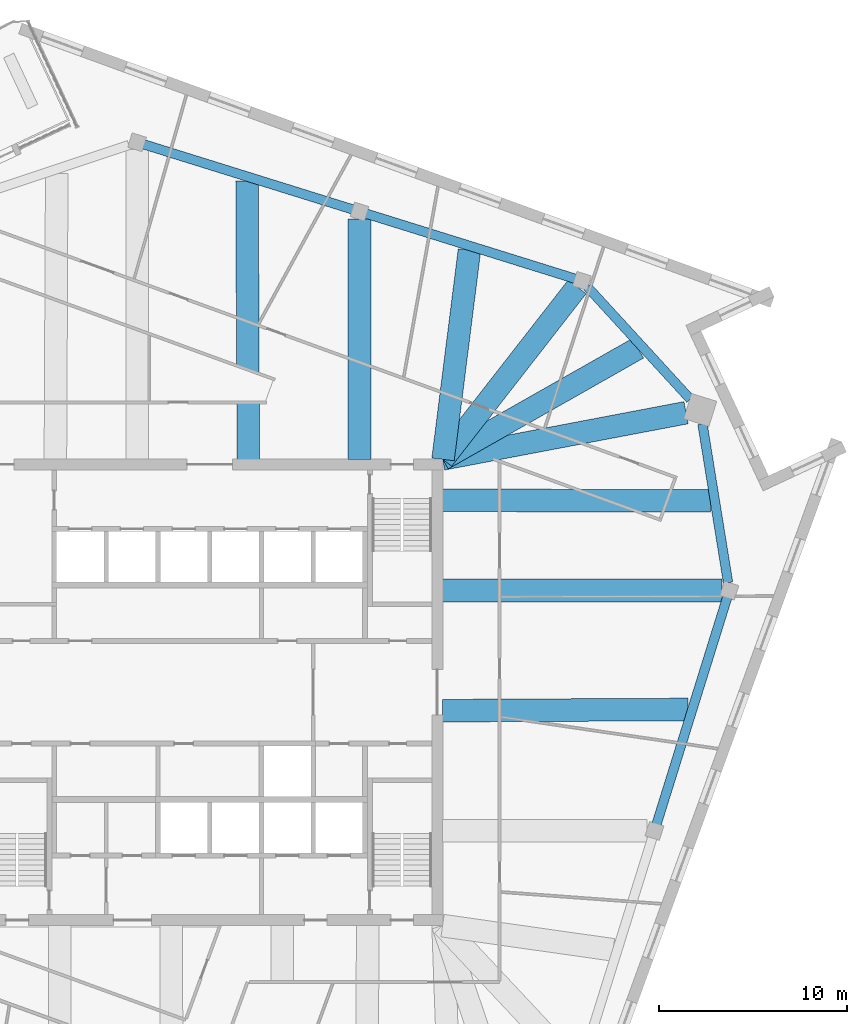
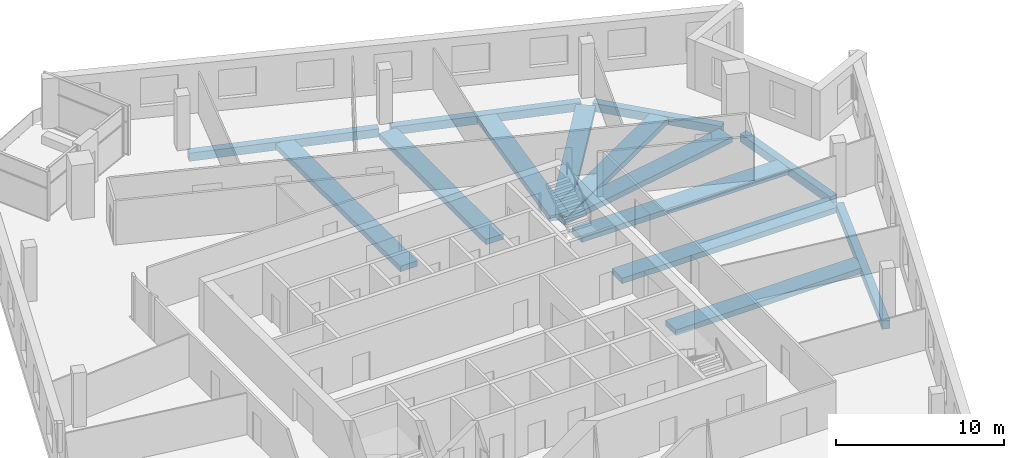
# One storey, part 3 of 13: 14 beams.
"""IFC4 building model written with IfcOpenShell, lengths in metres."""

from ifc_helpers import new_model, si_unit, direction, frame, origin, origin_2d, place, context, subcontext, project, spatial, rectangle, extrude, material, material_profile, profile_set, type_object, element, save


model = new_model("IFC4")

# Units and contexts
model_context = context("Model", 3, precision=1e-05, world=origin(), true_north=direction((0.0, 1.0)))
body_context = subcontext(model_context, "Body", "Model", "MODEL_VIEW")
ifc_project = project(units=[si_unit("LENGTHUNIT", "METRE"), si_unit("AREAUNIT", "SQUARE_METRE"), si_unit("VOLUMEUNIT", "CUBIC_METRE"), si_unit("PLANEANGLEUNIT", "RADIAN"), si_unit("MASSUNIT", "GRAM", prefix="KILO")], contexts=[model_context])

# Site, building, storey
site_placement = place(None, origin())
site = spatial("IfcSite", under=ifc_project, at=site_placement, CompositionType="ELEMENT")
building_placement = place(site_placement, origin())
building = spatial("IfcBuilding", under=site, at=building_placement, Name="Dilmun Exchange Tower", CompositionType="ELEMENT")
storey_placement = place(building_placement, frame((0.0, 0.0, 312.5)))
storey = spatial("IfcBuildingStorey", under=building, at=storey_placement, Name="L74", CompositionType="ELEMENT", Elevation=312.5)

# Beams
ifc_material = material(Name="Concrete C40/50", Category="concrete")
ifc_material_profile_1 = material_profile(ifc_material, rectangle(XDim=1.199951171875, YDim=0.39990234375, at=origin_2d()), Name="1200 x 400")
ifc_profile_set_1 = profile_set([ifc_material_profile_1], Name="Concrete C40/50")
beam_type_1 = type_object("IfcBeamType", Name="RC band beam 1200 x 400 C40/50", PredefinedType="BEAM", material=ifc_profile_set_1)
beam_1_placement = place(storey_placement, frame((27.216064453125, 5.406005859375, -0.64990234375), z_axis=(-1.0, 0.0, 0.0), x_axis=(0.0, -1.0, 0.0)))
element("IfcBeam", 1, at=beam_1_placement, inside=storey, type_object=beam_type_1, Name="Band beam 12", PredefinedType="BEAM", context=body_context, shape_type="SweptSolid", body=[
    extrude(rectangle(XDim=1.199951171875, YDim=0.39990234375, at=origin_2d()), origin(), (0.0, 0.0, 1.0), 14.843017578125),
])
beam_2_placement = place(storey_placement, frame((25.30712890625, 14.85205078125, -0.64990234375), z_axis=(-0.982429348436, -0.18663487169, 0.0), x_axis=(0.18663487169, -0.982429348436, 0.0)))
element("IfcBeam", 2, at=beam_2_placement, inside=storey, type_object=beam_type_1, Name="Band beam 13", PredefinedType="BEAM", context=body_context, shape_type="SweptSolid", body=[
    extrude(rectangle(XDim=1.199951171875, YDim=0.39990234375, at=origin_2d()), origin(), (0.0, 0.0, 1.0), 13.164794921875),
])
beam_3_placement = place(storey_placement, frame((19.52685546875, 21.541259765625, -0.64990234375), z_axis=(-0.614856714099, -0.788638840743, 0.0), x_axis=(0.788638840743, -0.614856714099, 0.0)))
element("IfcBeam", 3, at=beam_3_placement, inside=storey, type_object=beam_type_1, Name="Band beam 14", PredefinedType="BEAM", context=body_context, shape_type="SweptSolid", body=[
    extrude(rectangle(XDim=1.199951171875, YDim=0.39990234375, at=origin_2d()), origin(), (0.0, 0.0, 1.0), 11.6181640625),
])
beam_4_placement = place(storey_placement, frame((7.9580078125, 25.14697265625, -0.64990234375), z_axis=(0.0, -1.0, 0.0), x_axis=(1.0, 0.0, 0.0)))
element("IfcBeam", 4, at=beam_4_placement, inside=storey, type_object=beam_type_1, Name="Band beam 15", PredefinedType="BEAM", context=body_context, shape_type="SweptSolid", body=[
    extrude(rectangle(XDim=1.199951171875, YDim=0.39990234375, at=origin_2d()), origin(), (0.0, 0.0, 1.0), 12.77392578125),
])
beam_5_placement = place(storey_placement, frame((25.405517578125, -0.912109375, -0.550048828125), z_axis=(-0.999987018468, -0.005095379798, 0.0), x_axis=(0.005095379798, -0.999987018468, 0.0)))
element("IfcBeam", 5, at=beam_5_placement, inside=storey, type_object=beam_type_1, Name="Band beam 27", PredefinedType="BEAM", context=body_context, shape_type="SweptSolid", body=[
    extrude(rectangle(XDim=1.199951171875, YDim=0.39990234375, at=origin_2d()), origin(), (0.0, 0.0, 1.0), 13.03271484375),
])
beam_6_placement = place(storey_placement, frame((26.614013671875, 10.1650390625, -0.550048828125), z_axis=(-0.999996910379, 0.002485806038, 0.0), x_axis=(-0.002485806038, -0.999996910379, 0.0)))
element("IfcBeam", 6, at=beam_6_placement, inside=storey, type_object=beam_type_1, Name="Band beam 28", PredefinedType="BEAM", context=body_context, shape_type="SweptSolid", body=[
    extrude(rectangle(XDim=1.199951171875, YDim=0.39990234375, at=origin_2d()), origin(), (0.0, 0.0, 1.0), 14.240966796875),
])
beam_7_placement = place(storey_placement, frame((22.752197265625, 18.275390625, -0.550048828125), z_axis=(-0.869690188955, -0.493597989496, 0.0), x_axis=(0.493597989496, -0.869690188955, 0.0)))
element("IfcBeam", 7, at=beam_7_placement, inside=storey, type_object=beam_type_1, Name="Band beam 29", PredefinedType="BEAM", context=body_context, shape_type="SweptSolid", body=[
    extrude(rectangle(XDim=1.199951171875, YDim=0.39990234375, at=origin_2d()), origin(), (0.0, 0.0, 1.0), 11.93017578125),
])
beam_8_placement = place(storey_placement, frame((13.79931640625, 23.485107421875, -0.550048828125), z_axis=(-0.125252659456, -0.992124876867, 0.0), x_axis=(0.992124876867, -0.125252659456, 0.0)))
element("IfcBeam", 8, at=beam_8_placement, inside=storey, type_object=beam_type_1, Name="Band beam 30", PredefinedType="BEAM", context=body_context, shape_type="SweptSolid", body=[
    extrude(rectangle(XDim=1.199951171875, YDim=0.39990234375, at=origin_2d()), origin(), (0.0, 0.0, 1.0), 11.199951171875),
])
beam_9_placement = place(storey_placement, frame((1.984619140625, 27.16650390625, -0.550048828125), z_axis=(0.004488848064, -0.999989925071, 0.0), x_axis=(0.999989925071, 0.004488848064, 0.0)))
element("IfcBeam", 9, at=beam_9_placement, inside=storey, type_object=beam_type_1, Name="Band beam 31", PredefinedType="BEAM", context=body_context, shape_type="SweptSolid", body=[
    extrude(rectangle(XDim=1.199951171875, YDim=0.39990234375, at=origin_2d()), origin(), (0.0, 0.0, 1.0), 14.793701171875),
])
ifc_material_profile_2 = material_profile(ifc_material, rectangle(XDim=0.5, YDim=0.60009765625, at=origin_2d()), Name="500 x 600")
ifc_profile_set_2 = profile_set([ifc_material_profile_2], Name="Concrete C40/50")
beam_type_2 = type_object("IfcBeamType", Name="RC ring beam 500 x 600 C40/50", PredefinedType="SPANDREL", material=ifc_profile_set_2)
beam_10_placement = place(storey_placement, frame((23.739990234375, -7.0068359375, -0.64990234375), z_axis=(0.297508749799, 0.954719091562, 0.0), x_axis=(-0.954719091562, 0.297508749799, 0.0)))
element("IfcBeam", 10, at=beam_10_placement, inside=storey, type_object=beam_type_2, Name="Ring beam 11", PredefinedType="SPANDREL", context=body_context, shape_type="SweptSolid", body=[
    extrude(rectangle(XDim=0.5, YDim=0.60009765625, at=origin_2d()), origin(), (0.0, 0.0, 1.0), 12.62841796875),
])
beam_11_placement = place(storey_placement, frame((27.541015625, 5.820556640625, -0.64990234375), z_axis=(-0.159356501233, 0.987221102649, 0.0), x_axis=(-0.987221102649, -0.159356501233, 0.0)))
element("IfcBeam", 11, at=beam_11_placement, inside=storey, type_object=beam_type_2, Name="Ring beam 12", PredefinedType="SPANDREL", context=body_context, shape_type="SweptSolid", body=[
    extrude(rectangle(XDim=0.5, YDim=0.60009765625, at=origin_2d()), origin(), (0.0, 0.0, 1.0), 8.5380859375),
])
beam_12_placement = place(storey_placement, frame((25.531005859375, 15.572265625, -0.64990234375), z_axis=(-0.675535971399, 0.737327031476, 0.0), x_axis=(-0.737327031476, -0.675535971399, 0.0)))
element("IfcBeam", 12, at=beam_12_placement, inside=storey, type_object=beam_type_2, Name="Ring beam 13", PredefinedType="SPANDREL", context=body_context, shape_type="SweptSolid", body=[
    extrude(rectangle(XDim=0.5, YDim=0.60009765625, at=origin_2d()), origin(), (0.0, 0.0, 1.0), 8.087890625),
])
beam_13_placement = place(storey_placement, frame((19.4169921875, 21.968017578125, -0.64990234375), z_axis=(-0.95471613385, 0.297518241065, 0.0), x_axis=(-0.297518241065, -0.95471613385, 0.0)))
element("IfcBeam", 13, at=beam_13_placement, inside=storey, type_object=beam_type_2, Name="Ring beam 14", PredefinedType="SPANDREL", context=body_context, shape_type="SweptSolid", body=[
    extrude(rectangle(XDim=0.5, YDim=0.60009765625, at=origin_2d()), origin(), (0.0, 0.0, 1.0), 11.62939453125),
])
beam_14_placement = place(storey_placement, frame((7.601806640625, 25.64990234375, -0.64990234375), z_axis=(-0.954732553331, 0.297465546931, 0.0), x_axis=(-0.297465546931, -0.954732553331, 0.0)))
element("IfcBeam", 14, at=beam_14_placement, inside=storey, type_object=beam_type_2, Name="Ring beam 15", PredefinedType="SPANDREL", context=body_context, shape_type="SweptSolid", body=[
    extrude(rectangle(XDim=0.5, YDim=0.60009765625, at=origin_2d()), origin(), (0.0, 0.0, 1.0), 11.628173828125),
])

save(model, "model.ifc")
